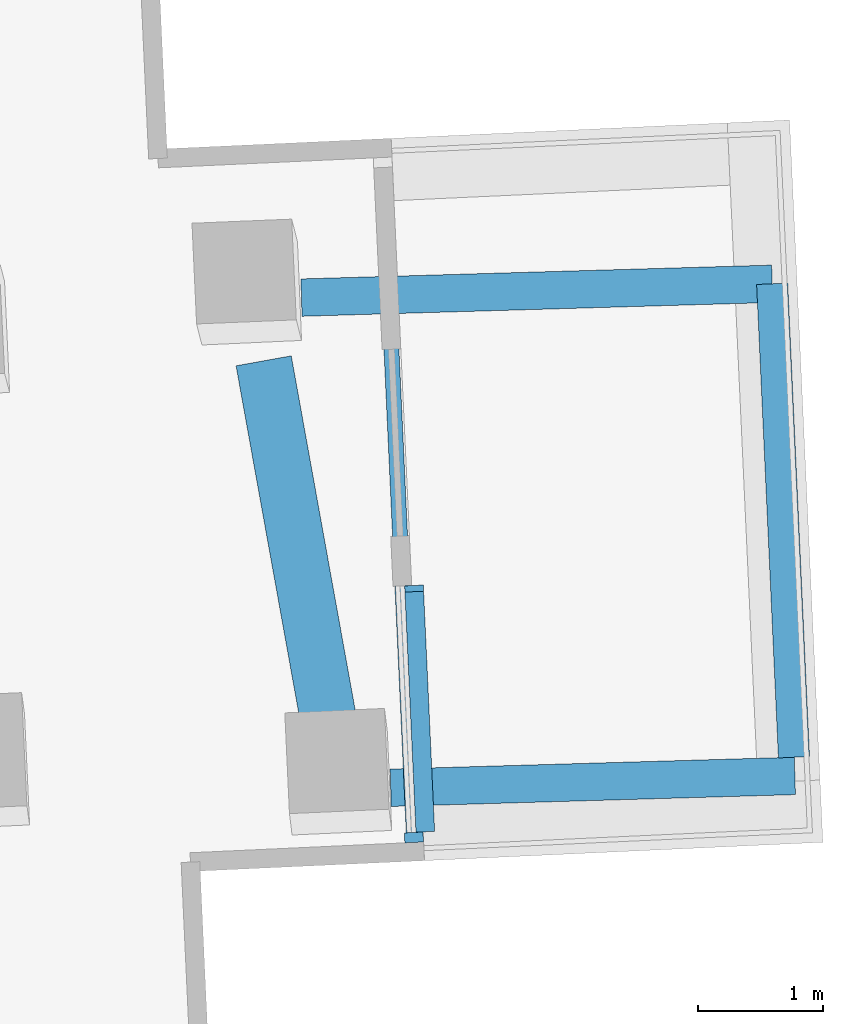
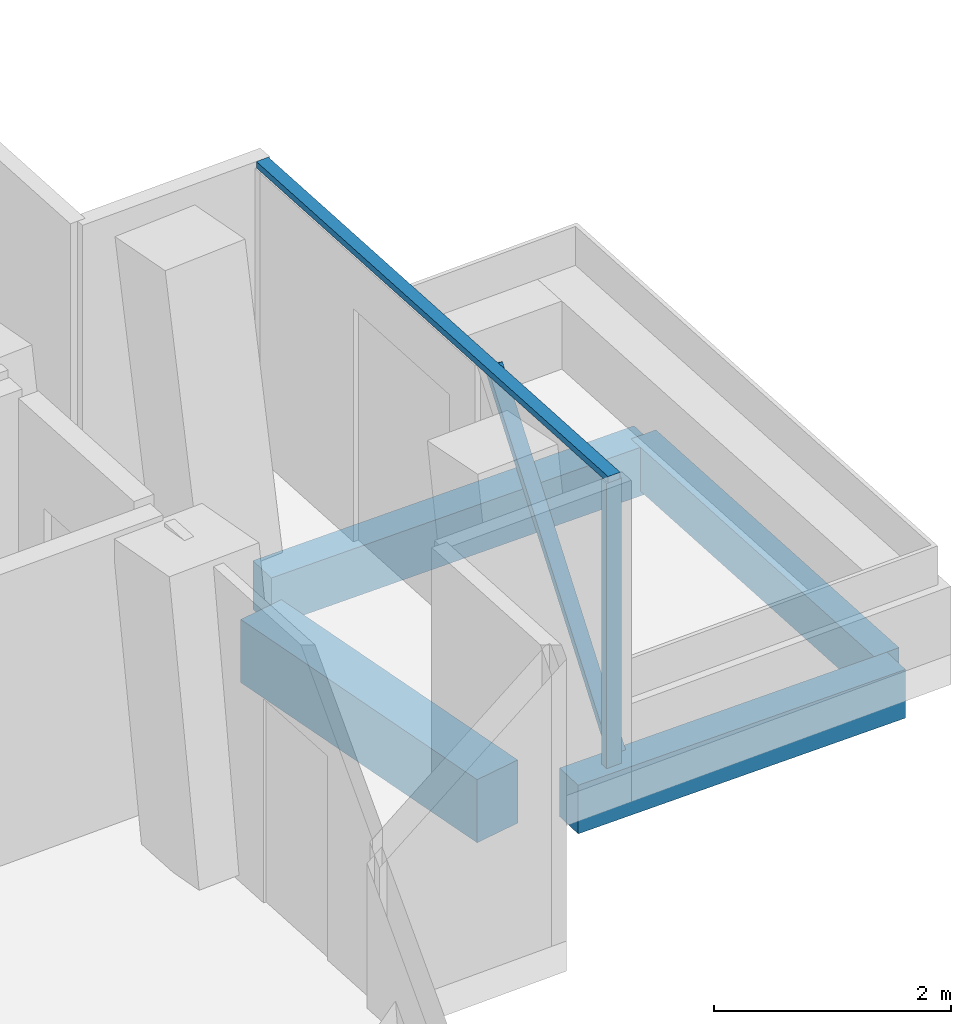
# One storey, part 6 of 22: 4 beams, 3 members, 1 element without a shape of its own.
"""IFC4 building model written with IfcOpenShell, lengths in metres."""

from ifc_helpers import new_model, si_unit, direction, frame, origin, origin_2d, place, context, subcontext, project, spatial, rectangle, extrude, material, layer, layer_set, material_profile, profile_set, type_object, element, aggregate, save


model = new_model("IFC4")

# Units and contexts
model_context = context("Model", 3, precision=1e-05, world=origin(), true_north=direction((0.0, 1.0)))
body_context = subcontext(model_context, "Body", "Model", "MODEL_VIEW")
ifc_project = project(units=[si_unit("LENGTHUNIT", "METRE"), si_unit("AREAUNIT", "SQUARE_METRE"), si_unit("VOLUMEUNIT", "CUBIC_METRE"), si_unit("PLANEANGLEUNIT", "RADIAN"), si_unit("MASSUNIT", "GRAM", prefix="KILO")], contexts=[model_context])

# Site, building, storey
site_placement = place(None, origin())
site = spatial("IfcSite", under=ifc_project, at=site_placement, CompositionType="ELEMENT")
building_placement = place(site_placement, origin())
building = spatial("IfcBuilding", under=site, at=building_placement, Name="Verdalira Terraces Hotel", CompositionType="ELEMENT")
storey_placement = place(building_placement, frame((0.0, 0.0, 165.5)))
storey = spatial("IfcBuildingStorey", under=building, at=storey_placement, Name="L40", CompositionType="ELEMENT", Elevation=165.5)

# Beams
ifc_material_1 = material(Name="Concrete C40", Category="concrete")
ifc_material_profile_1 = material_profile(ifc_material_1, rectangle(XDim=0.300049, YDim=0.5, at=origin_2d()), Name="RC 300X500")
ifc_profile_set_1 = profile_set([ifc_material_profile_1], Name="Concrete C40")
beam_type_1 = type_object("IfcBeamType", Name="Balcony cantilever beam RC 300X500 C40", PredefinedType="BEAM", material=ifc_profile_set_1)
beam_1_placement = place(storey_placement, frame((31.927979, -0.83374, -0.560059), z_axis=(0.99957126, 0.02927961, 0.0), x_axis=(-0.02927961, 0.99957126, 0.0)))
element("IfcBeam", 1, at=beam_1_placement, inside=storey, type_object=beam_type_1, Name="Balcony cantilever beam R33-1", PredefinedType="BEAM", context=body_context, shape_type="SweptSolid", body=[
    extrude(rectangle(XDim=0.300049, YDim=0.5, at=origin_2d()), origin(), (0.0, 0.0, 1.0), 3.243652),
])
beam_2_placement = place(storey_placement, frame((31.212158, 3.098145, -0.560059), z_axis=(0.999569429, 0.029342074, 0.0), x_axis=(-0.029342074, 0.999569429, 0.0)))
element("IfcBeam", 2, at=beam_2_placement, inside=storey, type_object=beam_type_1, Name="Balcony cantilever beam R33-2", PredefinedType="BEAM", context=body_context, shape_type="SweptSolid", body=[
    extrude(rectangle(XDim=0.300049, YDim=0.5, at=origin_2d()), origin(), (0.0, 0.0, 1.0), 3.777588),
])
ifc_material_2 = material(Name="Concrete C40", Category="concrete")
ifc_material_profile_2 = material_profile(ifc_material_2, rectangle(XDim=0.25, YDim=0.449951, at=origin_2d()), Name="RC 250X450")
ifc_profile_set_2 = profile_set([ifc_material_profile_2], Name="Concrete C40")
beam_type_2 = type_object("IfcBeamType", Name="Balcony edge beam RC 250X450 C40", PredefinedType="BEAM", material=ifc_profile_set_2)
beam_3_placement = place(storey_placement, frame((35.163086, -0.588867, -0.534912), z_axis=(-0.046042659, 0.998939474, 0.0), x_axis=(-0.998939474, -0.046042659, 0.0)))
element("IfcBeam", 3, at=beam_3_placement, inside=storey, type_object=beam_type_2, Name="Balcony edge beam R33-1", PredefinedType="BEAM", context=body_context, shape_type="SweptSolid", body=[
    extrude(rectangle(XDim=0.25, YDim=0.449951, at=origin_2d()), origin(), (0.0, 0.0, 1.0), 3.802002),
])

# Curtain wall, members
ifc_material_3 = material(Name="Clear glass", Category="glass")
ifc_layer = layer(ifc_material_3, 0.14990234375)
ifc_layer_set = layer_set([ifc_layer], Name="CW3 curtain wall")
curtain_wall_type = type_object("IfcCurtainWallType", Name="CW3 curtain wall", PredefinedType="NOTDEFINED", material=ifc_layer_set)
curtain_wall_placement = place(storey_placement, origin())
curtain_wall = element("IfcCurtainWall", 4, at=curtain_wall_placement, inside=storey, type_object=curtain_wall_type, Name="CW3 curtain wall L40 edge 33", PredefinedType="NOTDEFINED")
ifc_material_4 = material(Name="Terracotta frame", Category="masonry")
ifc_material_profile_3 = material_profile(ifc_material_4, rectangle(XDim=0.080078, YDim=0.149902, at=origin_2d()), Name="MU 80x150")
ifc_profile_set_3 = profile_set([ifc_material_profile_3], Name="Terracotta frame")
member_type_1 = type_object("IfcMemberType", Name="CW3 mullion 80x150", PredefinedType="MULLION", material=ifc_profile_set_3)
member_1_placement = place(storey_placement, frame((32.114502, -1.232178, 0.0), z_axis=(0.0, 0.0, 1.0), x_axis=(-0.04606039, 0.998938657, 0.0)))
member_1 = element("IfcMember", 5, at=member_1_placement, type_object=member_type_1, Name="CW3 mullion", PredefinedType="MULLION", context=body_context, shape_type="SweptSolid", body=[
    extrude(rectangle(XDim=0.080078, YDim=0.149902, at=origin_2d()), origin(), (0.0, 0.0, 1.0), 2.935059),
])
ifc_material_5 = material(Name="Terracotta frame", Category="masonry")
ifc_material_profile_4 = material_profile(ifc_material_5, rectangle(XDim=0.120117, YDim=0.064941, at=origin_2d()), Name="TR 65x120")
ifc_profile_set_4 = profile_set([ifc_material_profile_4], Name="Terracotta frame")
member_type_2 = type_object("IfcMemberType", Name="CW3 transom 65x120", PredefinedType="USERDEFINED", material=ifc_profile_set_4)
member_2_placement = place(storey_placement, frame((32.116455, -1.271973, 2.967529), z_axis=(-0.046076145, 0.99893793, 0.0), x_axis=(-0.99893793, -0.046076145, 0.0)))
member_2 = element("IfcMember", 6, at=member_2_placement, type_object=member_type_2, Name="CW3 transom", ObjectType="TRANSOM", PredefinedType="USERDEFINED", context=body_context, shape_type="SweptSolid", body=[
    extrude(rectangle(XDim=0.120117, YDim=0.064941, at=origin_2d()), origin(), (0.0, 0.0, 1.0), 5.5),
])
ifc_material_6 = material(Name="Terracotta frame", Category="masonry")
ifc_material_profile_5 = material_profile(ifc_material_6, rectangle(XDim=0.149902, YDim=0.060059, at=origin_2d()), Name="GB 60x150")
ifc_profile_set_5 = profile_set([ifc_material_profile_5], Name="Terracotta frame")
member_type_3 = type_object("IfcMemberType", Name="Diagonal glazing bar 60x150", PredefinedType="USERDEFINED", material=ifc_profile_set_5)
member_3_placement = place(storey_placement, frame((32.204346, -1.161865, 0.038574), z_axis=(-0.02570666, 0.558677247, 0.828986671), x_axis=(-0.99894306, -0.045964803, 0.0)))
member_3 = element("IfcMember", 7, at=member_3_placement, type_object=member_type_3, Name="Diagonal glazing bar", ObjectType="GLAZING BAR", PredefinedType="USERDEFINED", context=body_context, shape_type="SweptSolid", body=[
    extrude(rectangle(XDim=0.149902, YDim=0.060059, at=origin_2d()), origin(), (0.0, 0.0, 1.0), 3.44751),
])
aggregate(curtain_wall, [member_1, member_2, member_3])

# Beam
ifc_material_7 = material(Name="Concrete C50", Category="concrete")
ifc_material_profile_6 = material_profile(ifc_material_7, rectangle(XDim=0.449951, YDim=0.649902, at=origin_2d()), Name="RC 450X650")
ifc_profile_set_6 = profile_set([ifc_material_profile_6], Name="Concrete C50")
beam_type_3 = type_object("IfcBeamType", Name="Spandrel beam RC 450X650 C50", PredefinedType="SPANDREL", material=ifc_profile_set_6)
beam_4_placement = place(storey_placement, frame((31.457275, -0.446289, -0.63501), z_axis=(-0.177660188, 0.984091895, 0.0), x_axis=(-0.984091895, -0.177660188, 0.0)))
element("IfcBeam", 8, at=beam_4_placement, inside=storey, type_object=beam_type_3, Name="Spandrel beam B16", PredefinedType="SPANDREL", context=body_context, shape_type="SweptSolid", body=[
    extrude(rectangle(XDim=0.449951, YDim=0.649902, at=origin_2d()), origin(), (0.0, 0.0, 1.0), 3.086426),
])

save(model, "model.ifc")
